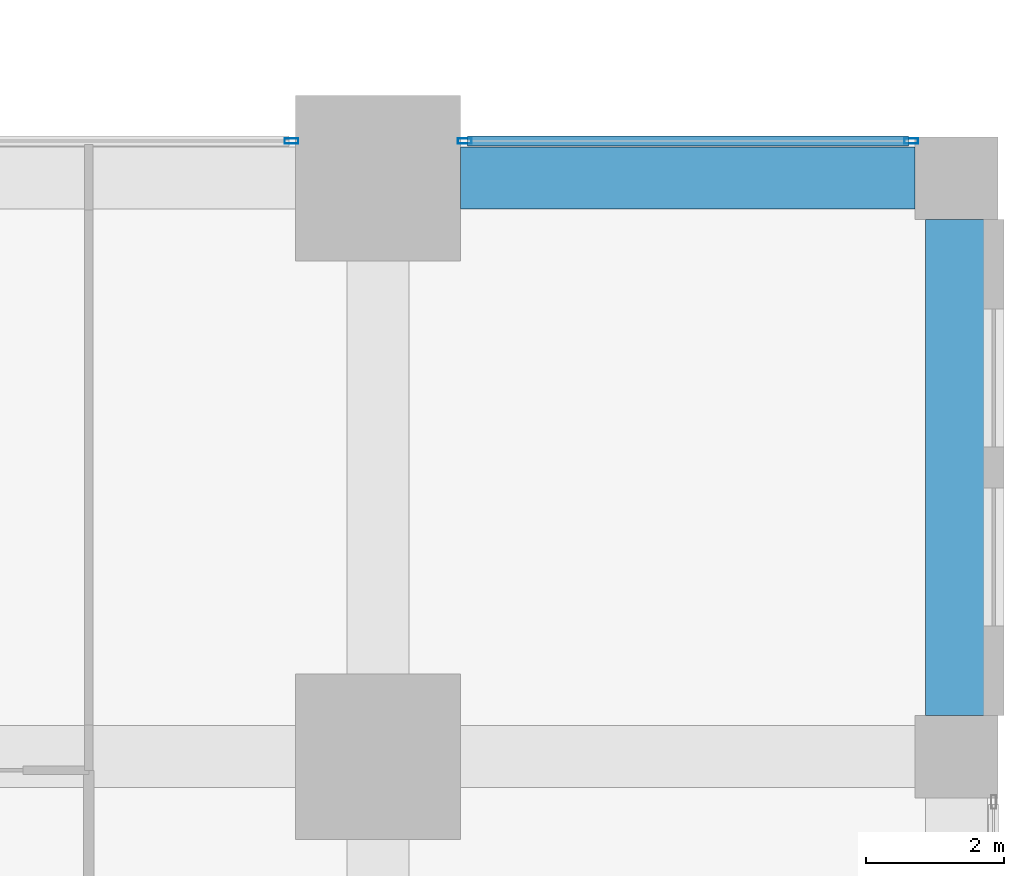
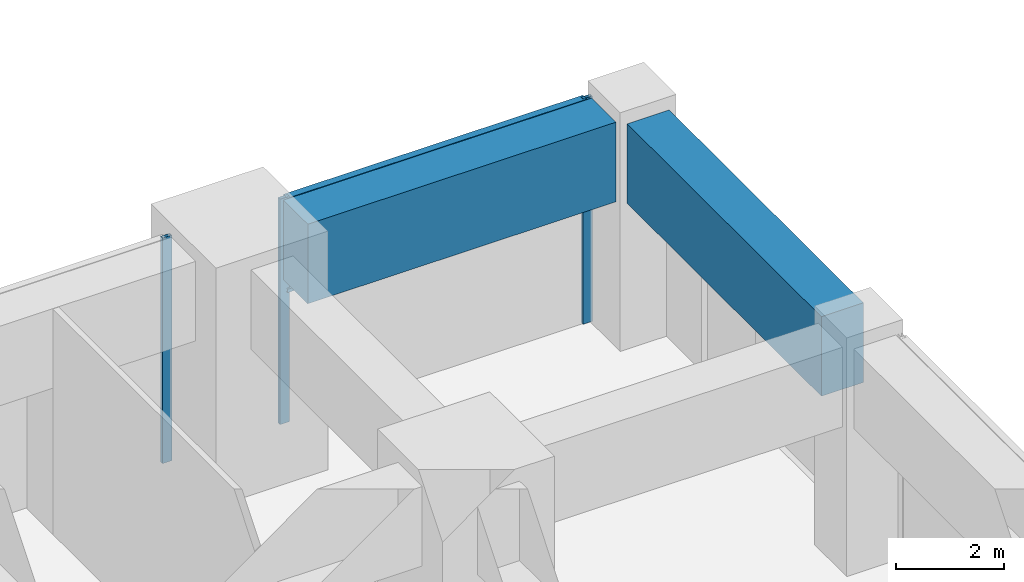
# One storey, part 33 of 81: 5 members, 2 beams, 2 elements without a shape of their own.
"""IFC4 building model written with IfcOpenShell, lengths in metres."""

from ifc_helpers import new_model, si_unit, direction, frame, origin, origin_2d, place, context, subcontext, project, spatial, rectangle, hollow_rectangle, extrude, material, material_profile, profile_set, type_object, element, aggregate, save


model = new_model("IFC4")

# Units and contexts
model_context = context("Model", 3, precision=1e-05, world=origin(), true_north=direction((0.0, 1.0)))
body_context = subcontext(model_context, "Body", "Model", "MODEL_VIEW")
ifc_project = project(units=[si_unit("LENGTHUNIT", "METRE"), si_unit("AREAUNIT", "SQUARE_METRE"), si_unit("VOLUMEUNIT", "CUBIC_METRE"), si_unit("PLANEANGLEUNIT", "RADIAN"), si_unit("MASSUNIT", "GRAM", prefix="KILO")], contexts=[model_context])

# Site, building, storey
site_placement = place(None, origin())
site = spatial("IfcSite", under=ifc_project, at=site_placement, CompositionType="ELEMENT")
building_placement = place(site_placement, origin())
building = spatial("IfcBuilding", under=site, at=building_placement, Name="Rekha Terrace Tower", CompositionType="ELEMENT")
storey_placement = place(building_placement, origin())
storey = spatial("IfcBuildingStorey", under=building, at=storey_placement, Name="L00", CompositionType="ELEMENT", Elevation=0.0)

# Curtain wall, members
ifc_material_1 = material(Name="Aluminium framing", Category="aluminium")
curtain_wall_type = type_object("IfcCurtainWallType", Name="CW4 podium shopfront glazing", PredefinedType="USERDEFINED", material=ifc_material_1)
curtain_wall_1_placement = place(storey_placement, origin())
curtain_wall_1 = element("IfcCurtainWall", 1, at=curtain_wall_1_placement, inside=storey, type_object=curtain_wall_type, Name="CW4 shopfront curtain wall", ObjectType="SHOPFRONT CURTAIN WALL", PredefinedType="USERDEFINED")
ifc_material_2 = material(Name="Aluminium mullion section", Category="aluminium")
ifc_material_profile_1 = material_profile(ifc_material_2, hollow_rectangle(XDim=0.074951171875, YDim=0.199951171875, WallThickness=0.00390625, at=origin_2d()), Name="AL RHS 75x200")
ifc_profile_set_1 = profile_set([ifc_material_profile_1], Name="Aluminium mullion section")
member_type_1 = type_object("IfcMemberType", Name="CW4 mullion RHS 75 x 200", PredefinedType="MULLION", material=ifc_profile_set_1)
member_1_placement = place(storey_placement, frame((74.9423828125, 59.340087890625, 0.0), z_axis=(0.0, 0.0, 1.0), x_axis=(0.0, -1.0, 0.0)))
member_1 = element("IfcMember", 2, at=member_1_placement, type_object=member_type_1, Name="CW4 mullion 1", PredefinedType="MULLION", context=body_context, shape_type="SweptSolid", body=[
    extrude(hollow_rectangle(XDim=0.074951171875, YDim=0.199951171875, WallThickness=0.00390625, at=origin_2d()), origin(), (0.0, 0.0, 1.0), 5.10009765625),
])
member_2_placement = place(storey_placement, frame((68.45751953125, 59.340087890625, 0.0), z_axis=(0.0, 0.0, 1.0), x_axis=(0.0, -1.0, 0.0)))
member_2 = element("IfcMember", 3, at=member_2_placement, type_object=member_type_1, Name="CW4 mullion 2", PredefinedType="MULLION", context=body_context, shape_type="SweptSolid", body=[
    extrude(hollow_rectangle(XDim=0.074951171875, YDim=0.199951171875, WallThickness=0.00390625, at=origin_2d()), origin(), (0.0, 0.0, 1.0), 5.10009765625),
])

# Curtain wall, member
curtain_wall_2_placement = place(storey_placement, origin())
curtain_wall_2 = element("IfcCurtainWall", 4, at=curtain_wall_2_placement, inside=storey, type_object=curtain_wall_type, Name="CW4 shopfront curtain wall", ObjectType="SHOPFRONT CURTAIN WALL", PredefinedType="USERDEFINED")
member_3_placement = place(storey_placement, frame((65.9423828125, 59.340087890625, 0.0), z_axis=(0.0, 0.0, 1.0), x_axis=(0.0, -1.0, 0.0)))
member_3 = element("IfcMember", 5, at=member_3_placement, type_object=member_type_1, Name="CW4 mullion 1", PredefinedType="MULLION", context=body_context, shape_type="SweptSolid", body=[
    extrude(hollow_rectangle(XDim=0.074951171875, YDim=0.199951171875, WallThickness=0.00390625, at=origin_2d()), origin(), (0.0, 0.0, 1.0), 5.10009765625),
])
aggregate(curtain_wall_2, [member_3])

# Member
ifc_material_3 = material(Name="Aluminium transom section", Category="aluminium")
ifc_material_profile_2 = material_profile(ifc_material_3, hollow_rectangle(XDim=0.14990234375, YDim=0.074951171875, WallThickness=0.0029296875, at=origin_2d()), Name="AL RHS 150x75")
ifc_profile_set_2 = profile_set([ifc_material_profile_2], Name="Aluminium transom section")
member_type_2 = type_object("IfcMemberType", Name="CW4 transom RHS 75 x 150", PredefinedType="USERDEFINED", material=ifc_profile_set_2)
member_4_placement = place(storey_placement, frame((74.905029296875, 59.340087890625, 3.0), z_axis=(-1.0, 0.0, 0.0), x_axis=(0.0, -1.0, 0.0)))
member_4 = element("IfcMember", 6, at=member_4_placement, type_object=member_type_2, Name="CW4 transom 1.2", ObjectType="TRANSOM", PredefinedType="USERDEFINED", context=body_context, shape_type="SweptSolid", body=[
    extrude(hollow_rectangle(XDim=0.14990234375, YDim=0.074951171875, WallThickness=0.0029296875, at=origin_2d()), origin(), (0.0, 0.0, 1.0), 6.409912109375),
])

member_5_placement = place(storey_placement, frame((74.905029296875, 59.340087890625, 5.0625), z_axis=(-1.0, 0.0, 0.0), x_axis=(0.0, -1.0, 0.0)))
member_5 = element("IfcMember", 7, at=member_5_placement, type_object=member_type_2, Name="CW4 transom 1.3", ObjectType="TRANSOM", PredefinedType="USERDEFINED", context=body_context, shape_type="SweptSolid", body=[
    extrude(hollow_rectangle(XDim=0.14990234375, YDim=0.074951171875, WallThickness=0.0029296875, at=origin_2d()), origin(), (0.0, 0.0, 1.0), 6.409912109375),
])

aggregate(curtain_wall_1, [member_1, member_2, member_4, member_5])

# Beams
ifc_material_4 = material(Name="Concrete M60", Category="concrete")
ifc_material_profile_3 = material_profile(ifc_material_4, rectangle(XDim=0.89990234375, YDim=1.800048828125, at=origin_2d()), Name="RC 900x1800")
ifc_profile_set_3 = profile_set([ifc_material_profile_3], Name="Concrete M60")
beam_type = type_object("IfcBeamType", Name="G1 900x1800 podium floor beam", PredefinedType="BEAM", material=ifc_profile_set_3)
beam_1_placement = place(storey_placement, frame((68.39990234375, 58.800048828125, 4.199951171875), z_axis=(1.0, 0.0, 0.0), x_axis=(0.0, 1.0, 0.0)))
element("IfcBeam", 8, at=beam_1_placement, inside=storey, type_object=beam_type, Name="Beam G1 9H-10H under L01", PredefinedType="BEAM", context=body_context, shape_type="SweptSolid", body=[
    extrude(rectangle(XDim=0.89990234375, YDim=1.800048828125, at=origin_2d()), origin(), (0.0, 0.0, 1.0), 6.60009765625),
])
beam_2_placement = place(storey_placement, frame((75.60009765625, 51.0, 4.199951171875), z_axis=(0.0, 1.0, 0.0), x_axis=(-1.0, 0.0, 0.0)))
element("IfcBeam", 9, at=beam_2_placement, inside=storey, type_object=beam_type, Name="Beam G1 10G-10H under L01", PredefinedType="BEAM", context=body_context, shape_type="SweptSolid", body=[
    extrude(rectangle(XDim=0.89990234375, YDim=1.800048828125, at=origin_2d()), origin(), (0.0, 0.0, 1.0), 7.199951171875),
])

save(model, "model.ifc")
